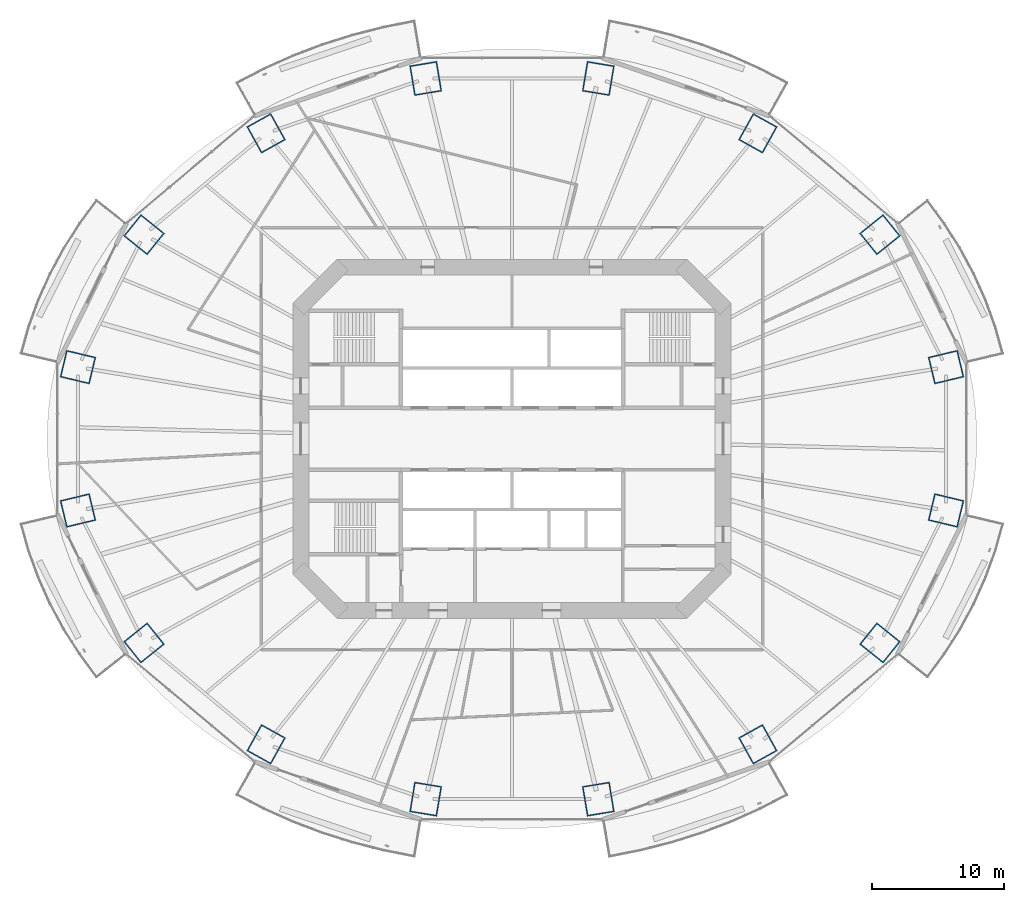
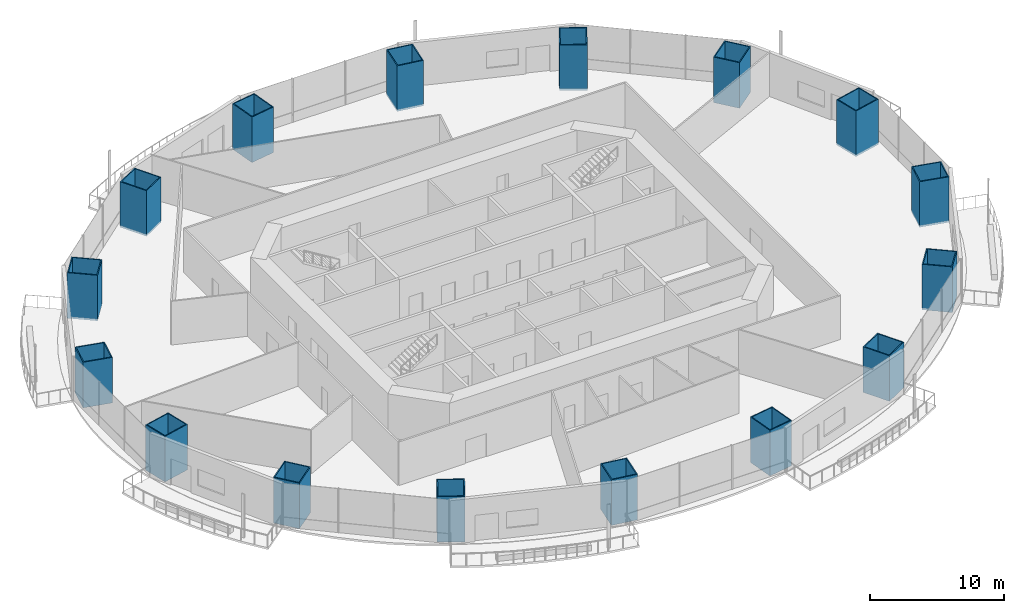
# One storey, part 1 of 22: 16 columns.
"""IFC4 building model written with IfcOpenShell, lengths in metres."""

from ifc_helpers import new_model, si_unit, direction, frame, origin, origin_2d, place, context, subcontext, project, spatial, rectangle, hollow_rectangle, extrude, material, material_profile, profile_set, type_object, element, save


model = new_model("IFC4")

# Units and contexts
model_context = context("Model", 3, precision=1e-05, world=origin(), true_north=direction((0.0, 1.0)))
body_context = subcontext(model_context, "Body", "Model", "MODEL_VIEW")
ifc_project = project(units=[si_unit("LENGTHUNIT", "METRE"), si_unit("AREAUNIT", "SQUARE_METRE"), si_unit("VOLUMEUNIT", "CUBIC_METRE"), si_unit("PLANEANGLEUNIT", "RADIAN"), si_unit("MASSUNIT", "GRAM", prefix="KILO")], contexts=[model_context])

# Site, building, storey
site_placement = place(None, origin())
site = spatial("IfcSite", under=ifc_project, at=site_placement, CompositionType="ELEMENT")
building_placement = place(site_placement, origin())
building = spatial("IfcBuilding", under=site, at=building_placement, Name="Marenthal Gate Tower", CompositionType="ELEMENT")
storey_placement = place(building_placement, frame((0.0, 0.0, 86.949951171875)))
storey = spatial("IfcBuildingStorey", under=building, at=storey_placement, Name="L17", CompositionType="ELEMENT", Elevation=86.949951171875)

# Columns
ifc_material_1 = material(Name="Steel S460", Category="steel")
ifc_material_profile_1 = material_profile(ifc_material_1, hollow_rectangle(XDim=2.10009765625, YDim=2.300048828125, WallThickness=0.0849609375, at=origin_2d()), Name="CFT BOX 2300X2100X85")
ifc_material_2 = material(Name="Concrete 70 MPa", Category="concrete")
ifc_material_profile_2 = material_profile(ifc_material_2, rectangle(XDim=1.929931640625, YDim=2.1298828125, at=origin_2d()), Name="CFT BOX 2300X2100X85 INFILL")
ifc_profile_set = profile_set([ifc_material_profile_1, ifc_material_profile_2], Name="Steel S460 shell, Concrete 70 MPa infill")
column_type = type_object("IfcColumnType", Name="CFT BOX 2300X2100X85", PredefinedType="COLUMN", material=ifc_profile_set)
for number, where, z_axis, x_axis, name in (
    (1, (32.88671875, 5.430908203125, -0.179931640625), (0.0, 0.0, 1.0), (0.232997303195, -0.972477381076, 0.0), "COL-L17-01"),
    (2, (27.8798828125, 15.466064453125, -0.179931640625), (0.0, 0.0, 1.0), (0.626984592904, -0.779031655494, 0.0), "COL-L17-02"),
    (3, (18.62890625, 23.146484375, -0.179931640625), (0.0, 0.0, 1.0), (0.874462276707, -0.485093523576, 0.0), "COL-L17-03"),
    (4, (6.54150390625, 27.302978515625, -0.179931640625), (0.0, 0.0, 1.0), (0.98663707662, -0.162933357659, 0.0), "COL-L17-04"),
    (5, (-6.54150390625, 27.302978515625, -0.179931640625), (0.0, 0.0, 1.0), (0.98663707662, 0.162933357659, 0.0), "COL-L17-05"),
    (6, (-18.62890625, 23.146484375, -0.179931640625), (0.0, 0.0, 1.0), (0.874462276707, 0.485093523576, 0.0), "COL-L17-06"),
    (7, (-27.8798828125, 15.466064453125, -0.179931640625), (0.0, 0.0, 1.0), (0.626984592904, 0.779031655494, 0.0), "COL-L17-07"),
    (8, (-32.88671875, 5.430908203125, -0.179931640625), (0.0, 0.0, 1.0), (0.232997303195, 0.972477381076, 0.0), "COL-L17-08"),
    (9, (-32.88671875, -5.430908203125, -0.179931640625), (0.0, 0.0, 1.0), (-0.232997303195, 0.972477381076, 0.0), "COL-L17-09"),
    (10, (-27.8798828125, -15.466064453125, -0.179931640625), (0.0, 0.0, 1.0), (-0.626984592904, 0.779031655494, 0.0), "COL-L17-10"),
    (11, (-18.62890625, -23.146484375, -0.179931640625), (0.0, 0.0, 1.0), (-0.874462276707, 0.485093523576, 0.0), "COL-L17-11"),
    (12, (-6.54150390625, -27.302978515625, -0.179931640625), (0.0, 0.0, 1.0), (-0.98663707662, 0.162933357659, 0.0), "COL-L17-12"),
    (13, (6.54150390625, -27.302978515625, -0.179931640625), (0.0, 0.0, 1.0), (-0.98663707662, -0.162933357659, 0.0), "COL-L17-13"),
    (14, (18.62890625, -23.146484375, -0.179931640625), (0.0, 0.0, 1.0), (-0.874462276707, -0.485093523576, 0.0), "COL-L17-14"),
    (15, (27.8798828125, -15.466064453125, -0.179931640625), (0.0, 0.0, 1.0), (-0.626984592904, -0.779031655494, 0.0), "COL-L17-15"),
    (16, (32.88671875, -5.430908203125, -0.179931640625), (0.0, 0.0, 1.0), (-0.232997303195, -0.972477381076, 0.0), "COL-L17-16"),
):
    element("IfcColumn", number, at=place(storey_placement, frame(where, z_axis=z_axis, x_axis=x_axis)), inside=storey, type_object=column_type, Name=name, PredefinedType="COLUMN", context=body_context, shape_type="SweptSolid", body=[
        extrude(hollow_rectangle(XDim=2.10009765625, YDim=2.300048828125, WallThickness=0.0849609375, at=origin_2d()), origin(), (0.0, 0.0, 1.0), 4.14990234375),
    ])

save(model, "model.ifc")
